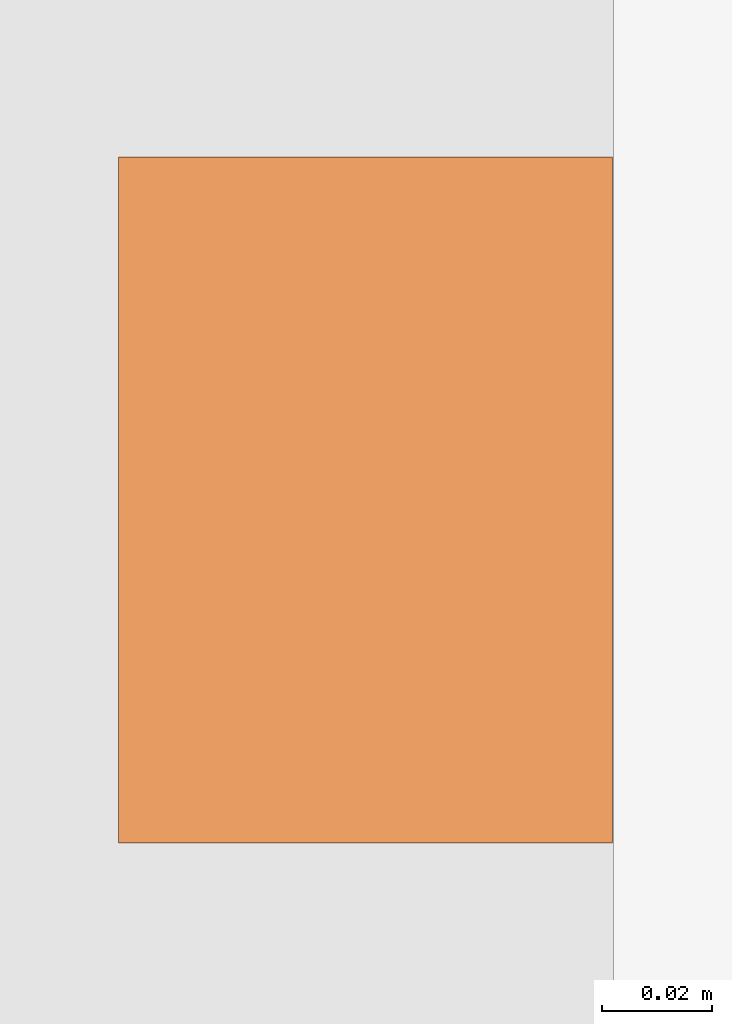
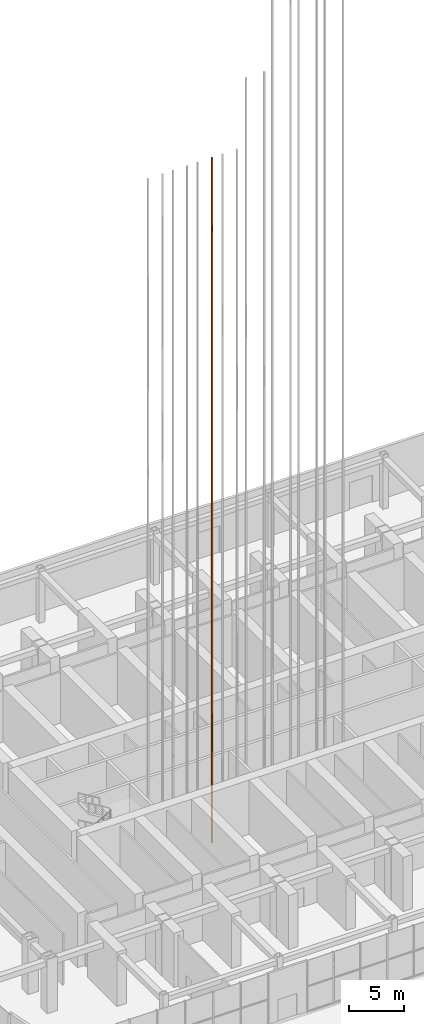
# One storey, part 47 of 57: 1 proxy.
"""IFC4 building model written with IfcOpenShell, lengths in metres."""

from ifc_helpers import new_model, si_unit, direction, frame, origin, origin_2d, place, context, subcontext, project, spatial, rectangle, extrude, material, element, save


model = new_model("IFC4")

# Units and contexts
model_context = context("Model", 3, precision=1e-05, world=origin(), true_north=direction((0.0, 1.0)))
body_context = subcontext(model_context, "Body", "Model", "MODEL_VIEW")
ifc_project = project(units=[si_unit("LENGTHUNIT", "METRE"), si_unit("AREAUNIT", "SQUARE_METRE"), si_unit("VOLUMEUNIT", "CUBIC_METRE"), si_unit("PLANEANGLEUNIT", "RADIAN"), si_unit("MASSUNIT", "GRAM", prefix="KILO")], contexts=[model_context])

# Site, building, storey
site_placement = place(None, origin())
site = spatial("IfcSite", under=ifc_project, at=site_placement, CompositionType="ELEMENT")
building_placement = place(site_placement, origin())
building = spatial("IfcBuilding", under=site, at=building_placement, Name="Orbita Commons", CompositionType="ELEMENT")
storey_placement = place(building_placement, origin())
storey = spatial("IfcBuildingStorey", under=building, at=storey_placement, Name="L00", CompositionType="ELEMENT", Elevation=0.0)

# Proxy
ifc_material = material(Name="Machined steel guide rail", Category="steel")
placement = place(storey_placement, frame((32.5, 28.10009765625, 0.0), z_axis=(0.0, 0.0, 1.0), x_axis=(1.0, 0.0, 0.0)))
proxy_placement = place(placement, frame((0.7548828125, 0.0, -1.800048828125)))
element("IfcBuildingElementProxy", 1, at=proxy_placement, inside=storey, material=ifc_material, Name="P13 guide rail 2", ObjectType="GUIDE RAIL", PredefinedType="USERDEFINED", context=body_context, shape_type="SweptSolid", body=[
    extrude(rectangle(XDim=0.09, YDim=0.125, at=origin_2d()), origin(), (0.0, 0.0, 1.0), 75.85009765625),
])

save(model, "model.ifc")
